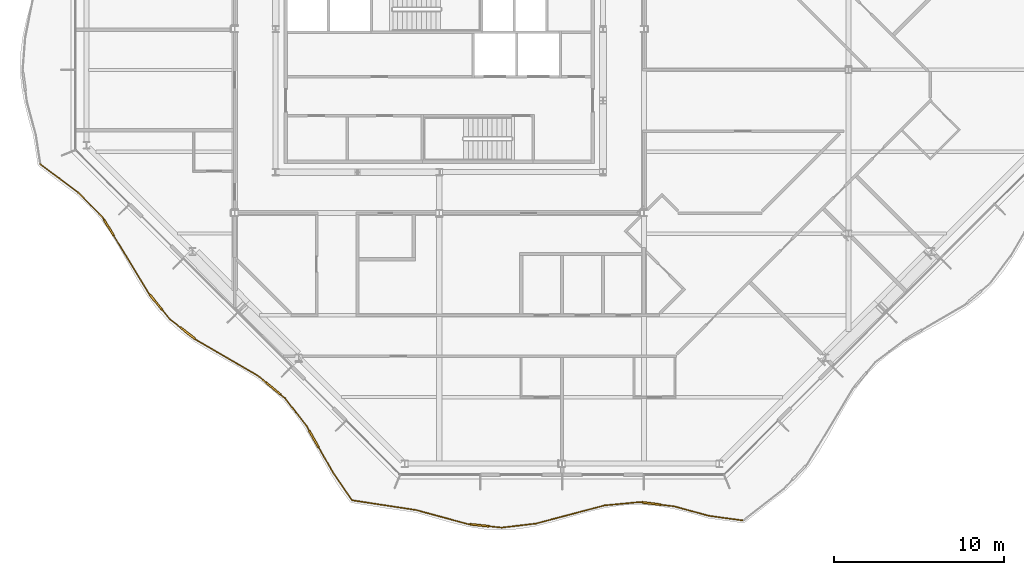
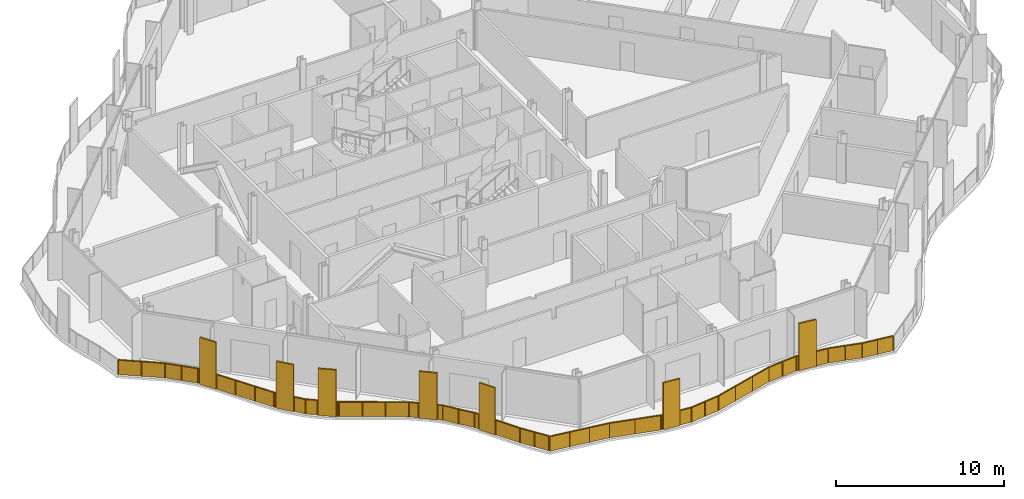
# One storey, part 13 of 17: 2 railings.
"""IFC4 building model written with IfcOpenShell, lengths in metres."""

from ifc_helpers import new_model, si_unit, direction, frame, origin, origin_2d, place, context, subcontext, project, spatial, polyline, rectangle, outline, extrude, material, type_object, element, save


model = new_model("IFC4")

# Units and contexts
model_context = context("Model", 3, precision=1e-05, world=origin(), true_north=direction((0.0, 1.0)))
body_context = subcontext(model_context, "Body", "Model", "MODEL_VIEW")
ifc_project = project(units=[si_unit("LENGTHUNIT", "METRE"), si_unit("AREAUNIT", "SQUARE_METRE"), si_unit("VOLUMEUNIT", "CUBIC_METRE"), si_unit("PLANEANGLEUNIT", "RADIAN"), si_unit("MASSUNIT", "GRAM", prefix="KILO")], contexts=[model_context])

# Site, building, storey
site_placement = place(None, origin())
site = spatial("IfcSite", under=ifc_project, at=site_placement, CompositionType="ELEMENT")
building_placement = place(site_placement, origin())
building = spatial("IfcBuilding", under=site, at=building_placement, Name="Cairn Pilgrim Tower", CompositionType="ELEMENT")
storey_placement = place(building_placement, frame((0.0, 0.0, 217.800048828125)))
storey = spatial("IfcBuildingStorey", under=building, at=storey_placement, Name="L55", CompositionType="ELEMENT", Elevation=217.800048828125)

# Railings
ifc_material = material(Name="Bronze anodised aluminium rail, posts and fin screens with laminated glass infill", Category="aluminium")
railing_type = type_object("IfcRailingType", Name="BALCONY GUARD WITH FIN SCREENS", PredefinedType="GUARDRAIL", material=ifc_material)
railing_1_placement = place(storey_placement, frame((2.080078125, -25.24609375, 0.0)))
element("IfcRailing", 1, at=railing_1_placement, inside=storey, type_object=railing_type, Name="Balcony guard BGF-1 with fin screens", PredefinedType="GUARDRAIL", context=body_context, shape_type="SweptSolid", body=[
    extrude(rectangle(XDim=0.050048828125, YDim=0.050048828125, at=origin_2d()), frame((0.0, 0.0, 1.0751953125), z_axis=(0.988604932965, -0.150533340218, 0.0), x_axis=(0.150533340218, 0.988604932965, 0.0)), (0.0, 0.0, 1.0), 3.804931640625),
    extrude(rectangle(XDim=0.050048828125, YDim=0.050048828125, at=origin_2d()), frame((3.761474609375, -0.57275390625, 1.0751953125), z_axis=(0.965052325493, -0.262057262941, 0.0), x_axis=(0.262057262941, 0.965052325493, 0.0)), (0.0, 0.0, 1.0), 3.1376953125),
    extrude(rectangle(XDim=1.10009765625, YDim=0.110107421875, at=origin_2d()), frame((7.48583984375, -1.467529296875, 0.0), z_axis=(0.0, 0.0, 1.0), x_axis=(0.994607152388, -0.103714089778, 0.0)), (0.0, 0.0, 1.0), 3.39990234375),
    extrude(rectangle(XDim=0.050048828125, YDim=0.050048828125, at=origin_2d()), frame((6.78955078125, -1.39501953125, 1.0751953125), z_axis=(0.994607152388, -0.103714089778, 0.0), x_axis=(0.103714089778, 0.994607152388, 0.0)), (0.0, 0.0, 1.0), 0.150146484375),
    extrude(rectangle(XDim=0.050048828125, YDim=0.050048828125, at=origin_2d()), frame((8.032958984375, -1.524658203125, 1.0751953125), z_axis=(0.994607152388, -0.103714089778, 0.0), x_axis=(0.103714089778, 0.994607152388, 0.0)), (0.0, 0.0, 1.0), 0.753173828125),
    extrude(rectangle(XDim=0.050048828125, YDim=0.050048828125, at=origin_2d()), frame((8.781982421875, -1.602783203125, 1.0751953125), z_axis=(0.99317796676, 0.1166084317, 0.0), x_axis=(-0.1166084317, 0.99317796676, 0.0)), (0.0, 0.0, 1.0), 2.0078125),
    extrude(rectangle(XDim=0.050048828125, YDim=0.050048828125, at=origin_2d()), frame((10.776123046875, -1.36865234375, 1.0751953125), z_axis=(0.966796474004, 0.255547603888, 0.0), x_axis=(-0.255547603888, 0.966796474004, 0.0)), (0.0, 0.0, 1.0), 4.1826171875),
    extrude(rectangle(XDim=0.050048828125, YDim=0.050048828125, at=origin_2d()), frame((14.81982421875, -0.2998046875, 1.0751953125), z_axis=(0.995480005826, 0.094971353581, 0.0), x_axis=(-0.094971353581, 0.995480005826, 0.0)), (0.0, 0.0, 1.0), 2.05908203125),
    extrude(rectangle(XDim=1.10009765625, YDim=0.110107421875, at=origin_2d()), frame((17.564208984375, -0.191650390625, 0.0), z_axis=(0.0, 0.0, 1.0), x_axis=(0.99215364122, -0.125024606434, 0.0)), (0.0, 0.0, 1.0), 3.39990234375),
    extrude(rectangle(XDim=0.050048828125, YDim=0.050048828125, at=origin_2d()), frame((16.86962890625, -0.104248046875, 1.0751953125), z_axis=(0.99215364122, -0.125024606434, 0.0), x_axis=(0.125024606434, 0.99215364122, 0.0)), (0.0, 0.0, 1.0), 0.14990234375),
    extrude(rectangle(XDim=0.050048828125, YDim=0.050048828125, at=origin_2d()), frame((18.10986328125, -0.260498046875, 1.0751953125), z_axis=(0.99215364122, -0.125024606434, 0.0), x_axis=(0.125024606434, 0.99215364122, 0.0)), (0.0, 0.0, 1.0), 0.81396484375),
    extrude(rectangle(XDim=0.050048828125, YDim=0.050048828125, at=origin_2d()), frame((18.91748046875, -0.3623046875, 1.0751953125), z_axis=(0.964933008441, -0.262496265156, 0.0), x_axis=(0.262496265156, 0.964933008441, 0.0)), (0.0, 0.0, 1.0), 2.095458984375),
    extrude(rectangle(XDim=0.050048828125, YDim=0.050048828125, at=origin_2d()), frame((20.939453125, -0.912353515625, 1.0751953125), z_axis=(0.990796192906, -0.135362122189, 0.0), x_axis=(0.135362122189, 0.990796192906, 0.0)), (0.0, 0.0, 1.0), 1.969482421875),
    extrude(rectangle(XDim=0.050048828125, YDim=0.050048828125, at=origin_2d()), origin(), (0.0, 0.0, 1.0), 1.050048828125),
    extrude(rectangle(XDim=0.050048828125, YDim=0.050048828125, at=origin_2d()), frame((1.25390625, -0.19091796875, 0.0)), (0.0, 0.0, 1.0), 1.050048828125),
    extrude(rectangle(XDim=0.050048828125, YDim=0.050048828125, at=origin_2d()), frame((2.507568359375, -0.3818359375, 0.0)), (0.0, 0.0, 1.0), 1.050048828125),
    extrude(rectangle(XDim=0.050048828125, YDim=0.050048828125, at=origin_2d()), frame((3.761474609375, -0.57275390625, 0.0)), (0.0, 0.0, 1.0), 1.050048828125),
    extrude(rectangle(XDim=0.050048828125, YDim=0.050048828125, at=origin_2d()), frame((5.275390625, -0.98388671875, 0.0)), (0.0, 0.0, 1.0), 1.050048828125),
    extrude(rectangle(XDim=0.050048828125, YDim=0.050048828125, at=origin_2d()), frame((6.78955078125, -1.39501953125, 0.0)), (0.0, 0.0, 1.0), 1.050048828125),
    extrude(rectangle(XDim=0.050048828125, YDim=0.050048828125, at=origin_2d()), frame((6.9140625, -1.407958984375, 0.0)), (0.0, 0.0, 1.0), 1.050048828125),
    extrude(rectangle(XDim=0.050048828125, YDim=0.050048828125, at=origin_2d()), frame((8.057861328125, -1.52734375, 0.0)), (0.0, 0.0, 1.0), 1.050048828125),
    extrude(rectangle(XDim=0.050048828125, YDim=0.050048828125, at=origin_2d()), frame((8.781982421875, -1.602783203125, 0.0)), (0.0, 0.0, 1.0), 1.050048828125),
    extrude(rectangle(XDim=0.050048828125, YDim=0.050048828125, at=origin_2d()), frame((9.779052734375, -1.48583984375, 0.0)), (0.0, 0.0, 1.0), 1.050048828125),
    extrude(rectangle(XDim=0.050048828125, YDim=0.050048828125, at=origin_2d()), frame((10.776123046875, -1.36865234375, 0.0)), (0.0, 0.0, 1.0), 1.050048828125),
    extrude(rectangle(XDim=0.050048828125, YDim=0.050048828125, at=origin_2d()), frame((12.1240234375, -1.012451171875, 0.0)), (0.0, 0.0, 1.0), 1.050048828125),
    extrude(rectangle(XDim=0.050048828125, YDim=0.050048828125, at=origin_2d()), frame((13.471923828125, -0.656005859375, 0.0)), (0.0, 0.0, 1.0), 1.050048828125),
    extrude(rectangle(XDim=0.050048828125, YDim=0.050048828125, at=origin_2d()), frame((14.81982421875, -0.2998046875, 0.0)), (0.0, 0.0, 1.0), 1.050048828125),
    extrude(rectangle(XDim=0.050048828125, YDim=0.050048828125, at=origin_2d()), frame((15.8447265625, -0.2021484375, 0.0)), (0.0, 0.0, 1.0), 1.050048828125),
    extrude(rectangle(XDim=0.050048828125, YDim=0.050048828125, at=origin_2d()), frame((16.86962890625, -0.104248046875, 0.0)), (0.0, 0.0, 1.0), 1.050048828125),
    extrude(rectangle(XDim=0.050048828125, YDim=0.050048828125, at=origin_2d()), frame((16.99365234375, -0.119873046875, 0.0)), (0.0, 0.0, 1.0), 1.050048828125),
    extrude(rectangle(XDim=0.050048828125, YDim=0.050048828125, at=origin_2d()), frame((18.134521484375, -0.263671875, 0.0)), (0.0, 0.0, 1.0), 1.050048828125),
    extrude(rectangle(XDim=0.050048828125, YDim=0.050048828125, at=origin_2d()), frame((18.91748046875, -0.3623046875, 0.0)), (0.0, 0.0, 1.0), 1.050048828125),
    extrude(rectangle(XDim=0.050048828125, YDim=0.050048828125, at=origin_2d()), frame((19.928466796875, -0.63720703125, 0.0)), (0.0, 0.0, 1.0), 1.050048828125),
    extrude(rectangle(XDim=0.050048828125, YDim=0.050048828125, at=origin_2d()), frame((20.939453125, -0.912353515625, 0.0)), (0.0, 0.0, 1.0), 1.050048828125),
    extrude(rectangle(XDim=0.050048828125, YDim=0.050048828125, at=origin_2d()), frame((21.9150390625, -1.045654296875, 0.0)), (0.0, 0.0, 1.0), 1.050048828125),
    extrude(rectangle(XDim=0.050048828125, YDim=0.050048828125, at=origin_2d()), frame((22.890869140625, -1.178955078125, 0.0)), (0.0, 0.0, 1.0), 1.050048828125),
    extrude(outline(polyline([(0.02490234375, 0.0), (1.2431640625, 0.0), (1.2431640625, 1.050048828125), (0.02490234375, 1.050048828125), (0.02490234375, 0.0)])), frame((0.0009765625, 0.005859375, 0.0), z_axis=(-0.150533340218, -0.988604932965, 0.0), x_axis=(0.988604932965, -0.150533340218, 0.0)), (0.0, 0.0, 1.0), 0.011962890625),
    extrude(outline(polyline([(0.02490234375, 0.0), (1.2431640625, 0.0), (1.2431640625, 1.050048828125), (0.02490234375, 1.050048828125), (0.02490234375, 0.0)])), frame((1.254638671875, -0.18505859375, 0.0), z_axis=(-0.150533340218, -0.988604932965, 0.0), x_axis=(0.988604932965, -0.150533340218, 0.0)), (0.0, 0.0, 1.0), 0.011962890625),
    extrude(outline(polyline([(0.02490234375, 0.0), (1.2431640625, 0.0), (1.2431640625, 1.050048828125), (0.02490234375, 1.050048828125), (0.02490234375, 0.0)])), frame((2.508544921875, -0.3759765625, 0.0), z_axis=(-0.150533340218, -0.988604932965, 0.0), x_axis=(0.988604932965, -0.150533340218, 0.0)), (0.0, 0.0, 1.0), 0.011962890625),
    extrude(outline(polyline([(0.02490234375, 0.0), (1.5439453125, 0.0), (1.5439453125, 1.050048828125), (0.02490234375, 1.050048828125), (0.02490234375, 0.0)])), frame((3.762939453125, -0.56689453125, 0.0), z_axis=(-0.262057262941, -0.965052325493, 0.0), x_axis=(0.965052325493, -0.262057262941, 0.0)), (0.0, 0.0, 1.0), 0.011962890625),
    extrude(outline(polyline([(0.02490234375, 0.0), (1.5439453125, 0.0), (1.5439453125, 1.050048828125), (0.02490234375, 1.050048828125), (0.02490234375, 0.0)])), frame((5.277099609375, -0.97802734375, 0.0), z_axis=(-0.262057262941, -0.965052325493, 0.0), x_axis=(0.965052325493, -0.262057262941, 0.0)), (0.0, 0.0, 1.0), 0.011962890625),
    extrude(outline(polyline([(0.02490234375, 0.0), (0.10009765625, 0.0), (0.10009765625, 1.050048828125), (0.02490234375, 1.050048828125), (0.02490234375, 0.0)])), frame((6.790283203125, -1.38916015625, 0.0), z_axis=(-0.103714089778, -0.994607152388, 0.0), x_axis=(0.994607152388, -0.103714089778, 0.0)), (0.0, 0.0, 1.0), 0.011962890625),
    extrude(outline(polyline([(0.02490234375, 0.0), (0.703125, 0.0), (0.703125, 1.050048828125), (0.02490234375, 1.050048828125), (0.02490234375, 0.0)])), frame((8.058349609375, -1.521240234375, 0.0), z_axis=(-0.103714089778, -0.994607152388, 0.0), x_axis=(0.994607152388, -0.103714089778, 0.0)), (0.0, 0.0, 1.0), 0.011962890625),
    extrude(outline(polyline([(0.02490234375, 0.0), (0.97900390625, 0.0), (0.97900390625, 1.050048828125), (0.02490234375, 1.050048828125), (0.02490234375, 0.0)])), frame((8.78125, -1.596923828125, 0.0), z_axis=(0.1166084317, -0.99317796676, 0.0), x_axis=(0.99317796676, 0.1166084317, 0.0)), (0.0, 0.0, 1.0), 0.011962890625),
    extrude(outline(polyline([(0.02490234375, 0.0), (0.97900390625, 0.0), (0.97900390625, 1.050048828125), (0.02490234375, 1.050048828125), (0.02490234375, 0.0)])), frame((9.7783203125, -1.479736328125, 0.0), z_axis=(0.1166084317, -0.99317796676, 0.0), x_axis=(0.99317796676, 0.1166084317, 0.0)), (0.0, 0.0, 1.0), 0.011962890625),
    extrude(outline(polyline([(0.02490234375, 0.0), (1.369140625, 0.0), (1.369140625, 1.050048828125), (0.02490234375, 1.050048828125), (0.02490234375, 0.0)])), frame((10.774658203125, -1.36279296875, 0.0), z_axis=(0.255547603888, -0.966796474004, 0.0), x_axis=(0.966796474004, 0.255547603888, 0.0)), (0.0, 0.0, 1.0), 0.011962890625),
    extrude(outline(polyline([(0.02490234375, 0.0), (1.369140625, 0.0), (1.369140625, 1.050048828125), (0.02490234375, 1.050048828125), (0.02490234375, 0.0)])), frame((12.12255859375, -1.006591796875, 0.0), z_axis=(0.255547603888, -0.966796474004, 0.0), x_axis=(0.966796474004, 0.255547603888, 0.0)), (0.0, 0.0, 1.0), 0.011962890625),
    extrude(outline(polyline([(0.02490234375, 0.0), (1.369140625, 0.0), (1.369140625, 1.050048828125), (0.02490234375, 1.050048828125), (0.02490234375, 0.0)])), frame((13.470458984375, -0.650390625, 0.0), z_axis=(0.255547603888, -0.966796474004, 0.0), x_axis=(0.966796474004, 0.255547603888, 0.0)), (0.0, 0.0, 1.0), 0.011962890625),
    extrude(outline(polyline([(0.02490234375, 0.0), (1.004638671875, 0.0), (1.004638671875, 1.050048828125), (0.02490234375, 1.050048828125), (0.02490234375, 0.0)])), frame((14.8193359375, -0.2939453125, 0.0), z_axis=(0.094971353581, -0.995480005826, 0.0), x_axis=(0.995480005826, 0.094971353581, 0.0)), (0.0, 0.0, 1.0), 0.011962890625),
    extrude(outline(polyline([(0.02490234375, 0.0), (1.004638671875, 0.0), (1.004638671875, 1.050048828125), (0.02490234375, 1.050048828125), (0.02490234375, 0.0)])), frame((15.84423828125, -0.196044921875, 0.0), z_axis=(0.094971353581, -0.995480005826, 0.0), x_axis=(0.995480005826, 0.094971353581, 0.0)), (0.0, 0.0, 1.0), 0.011962890625),
    extrude(outline(polyline([(0.02490234375, 0.0), (0.099853515625, 0.0), (0.099853515625, 1.050048828125), (0.02490234375, 1.050048828125), (0.02490234375, 0.0)])), frame((16.870361328125, -0.098388671875, 0.0), z_axis=(-0.125024606434, -0.99215364122, 0.0), x_axis=(0.99215364122, -0.125024606434, 0.0)), (0.0, 0.0, 1.0), 0.011962890625),
    extrude(outline(polyline([(0.02490234375, 0.0), (0.763916015625, 0.0), (0.763916015625, 1.050048828125), (0.02490234375, 1.050048828125), (0.02490234375, 0.0)])), frame((18.13525390625, -0.2578125, 0.0), z_axis=(-0.125024606434, -0.99215364122, 0.0), x_axis=(0.99215364122, -0.125024606434, 0.0)), (0.0, 0.0, 1.0), 0.011962890625),
    extrude(outline(polyline([(0.02490234375, 0.0), (1.022705078125, 0.0), (1.022705078125, 1.050048828125), (0.02490234375, 1.050048828125), (0.02490234375, 0.0)])), frame((18.9189453125, -0.3564453125, 0.0), z_axis=(-0.262496265156, -0.964933008441, 0.0), x_axis=(0.964933008441, -0.262496265156, 0.0)), (0.0, 0.0, 1.0), 0.011962890625),
    extrude(outline(polyline([(0.02490234375, 0.0), (1.022705078125, 0.0), (1.022705078125, 1.050048828125), (0.02490234375, 1.050048828125), (0.02490234375, 0.0)])), frame((19.929931640625, -0.631591796875, 0.0), z_axis=(-0.262496265156, -0.964933008441, 0.0), x_axis=(0.964933008441, -0.262496265156, 0.0)), (0.0, 0.0, 1.0), 0.011962890625),
    extrude(outline(polyline([(0.02490234375, 0.0), (0.959716796875, 0.0), (0.959716796875, 1.050048828125), (0.02490234375, 1.050048828125), (0.02490234375, 0.0)])), frame((20.940185546875, -0.906494140625, 0.0), z_axis=(-0.135362122189, -0.990796192906, 0.0), x_axis=(0.990796192906, -0.135362122189, 0.0)), (0.0, 0.0, 1.0), 0.011962890625),
    extrude(outline(polyline([(0.02490234375, 0.0), (0.959716796875, 0.0), (0.959716796875, 1.050048828125), (0.02490234375, 1.050048828125), (0.02490234375, 0.0)])), frame((21.916015625, -1.039794921875, 0.0), z_axis=(-0.135362122189, -0.990796192906, 0.0), x_axis=(0.990796192906, -0.135362122189, 0.0)), (0.0, 0.0, 1.0), 0.011962890625),
])
railing_2_placement = place(storey_placement, frame((-16.208251953125, -5.523193359375, 0.0)))
element("IfcRailing", 2, at=railing_2_placement, inside=storey, type_object=railing_type, Name="Balcony guard BGF-8 with fin screens", PredefinedType="GUARDRAIL", context=body_context, shape_type="SweptSolid", body=[
    extrude(rectangle(XDim=0.050048828125, YDim=0.050048828125, at=origin_2d()), frame((0.0, 0.0, 1.0751953125), z_axis=(0.798929998312, -0.601424024959, 0.0), x_axis=(0.601424024959, 0.798929998312, 0.0)), (0.0, 0.0, 1.0), 2.796142578125),
    extrude(rectangle(XDim=0.050048828125, YDim=0.050048828125, at=origin_2d()), frame((2.23388671875, -1.681640625, 1.0751953125), z_axis=(0.701097357888, -0.713065561335, 0.0), x_axis=(0.713065561335, 0.701097357888, 0.0)), (0.0, 0.0, 1.0), 2.039794921875),
    extrude(rectangle(XDim=1.10009765625, YDim=0.110107421875, at=origin_2d()), frame((4.026611328125, -3.735107421875, 0.0), z_axis=(0.0, 0.0, 1.0), x_axis=(0.517857091522, -0.855467143005, 0.0)), (0.0, 0.0, 1.0), 3.39990234375),
    extrude(rectangle(XDim=0.050048828125, YDim=0.050048828125, at=origin_2d()), frame((3.6640625, -3.13623046875, 1.0751953125), z_axis=(0.517857091522, -0.855467143005, 0.0), x_axis=(0.855467143005, 0.517857091522, 0.0)), (0.0, 0.0, 1.0), 0.150146484375),
    extrude(rectangle(XDim=0.050048828125, YDim=0.050048828125, at=origin_2d()), frame((4.3115234375, -4.20556640625, 1.0751953125), z_axis=(0.517857091522, -0.855467143005, 0.0), x_axis=(0.855467143005, 0.517857091522, 0.0)), (0.0, 0.0, 1.0), 3.934814453125),
    extrude(rectangle(XDim=1.10009765625, YDim=0.110107421875, at=origin_2d()), frame((6.79345703125, -8.1123046875, 0.0), z_axis=(0.0, 0.0, 1.0), x_axis=(0.635063184455, -0.772460194282, 0.0)), (0.0, 0.0, 1.0), 3.39990234375),
    extrude(rectangle(XDim=0.050048828125, YDim=0.050048828125, at=origin_2d()), frame((6.34912109375, -7.57177734375, 1.0751953125), z_axis=(0.635063184455, -0.772460194282, 0.0), x_axis=(0.772460194282, 0.635063184455, 0.0)), (0.0, 0.0, 1.0), 0.14990234375),
    extrude(rectangle(XDim=0.050048828125, YDim=0.050048828125, at=origin_2d()), frame((7.142822265625, -8.537353515625, 1.0751953125), z_axis=(0.635063184455, -0.772460194282, 0.0), x_axis=(0.772460194282, 0.635063184455, 0.0)), (0.0, 0.0, 1.0), 0.743896484375),
    extrude(rectangle(XDim=1.10009765625, YDim=0.110107421875, at=origin_2d()), frame((8.63916015625, -9.911865234375, 0.0), z_axis=(0.0, 0.0, 1.0), x_axis=(0.788035480357, -0.615629825218, 0.0)), (0.0, 0.0, 1.0), 3.39990234375),
    extrude(rectangle(XDim=0.050048828125, YDim=0.050048828125, at=origin_2d()), frame((7.615234375, -9.11181640625, 1.0751953125), z_axis=(0.788035480357, -0.615629825218, 0.0), x_axis=(0.615629825218, 0.788035480357, 0.0)), (0.0, 0.0, 1.0), 0.74951171875),
    extrude(rectangle(XDim=0.050048828125, YDim=0.050048828125, at=origin_2d()), frame((9.07275390625, -10.25048828125, 1.0751953125), z_axis=(0.788035480357, -0.615629825218, 0.0), x_axis=(0.615629825218, 0.788035480357, 0.0)), (0.0, 0.0, 1.0), 0.150146484375),
    extrude(rectangle(XDim=0.050048828125, YDim=0.050048828125, at=origin_2d()), frame((9.19091796875, -10.3427734375, 1.0751953125), z_axis=(0.864373826551, -0.502849766803, 0.0), x_axis=(0.502849766803, 0.864373826551, 0.0)), (0.0, 0.0, 1.0), 4.163330078125),
    extrude(rectangle(XDim=1.10009765625, YDim=0.110107421875, at=origin_2d()), frame((13.680908203125, -13.17626953125, 0.0), z_axis=(0.0, 0.0, 1.0), x_axis=(0.769440823309, -0.638718106386, 0.0)), (0.0, 0.0, 1.0), 3.39990234375),
    extrude(rectangle(XDim=0.050048828125, YDim=0.050048828125, at=origin_2d()), frame((12.78955078125, -12.436279296875, 1.0751953125), z_axis=(0.769440823309, -0.638718106386, 0.0), x_axis=(0.638718106386, 0.769440823309, 0.0)), (0.0, 0.0, 1.0), 0.6083984375),
    extrude(rectangle(XDim=0.050048828125, YDim=0.050048828125, at=origin_2d()), frame((14.10400390625, -13.527587890625, 1.0751953125), z_axis=(0.769440823309, -0.638718106386, 0.0), x_axis=(0.638718106386, 0.769440823309, 0.0)), (0.0, 0.0, 1.0), 0.34033203125),
    extrude(rectangle(XDim=0.050048828125, YDim=0.050048828125, at=origin_2d()), frame((14.365966796875, -13.744873046875, 1.0751953125), z_axis=(0.612096510157, -0.790783069023, 0.0), x_axis=(0.790783069023, 0.612096510157, 0.0)), (0.0, 0.0, 1.0), 2.054931640625),
    extrude(rectangle(XDim=1.10009765625, YDim=0.110107421875, at=origin_2d()), frame((16.051025390625, -16.1220703125, 0.0), z_axis=(0.0, 0.0, 1.0), x_axis=(0.493863500492, -0.869539442971, 0.0)), (0.0, 0.0, 1.0), 3.39990234375),
    extrude(rectangle(XDim=0.050048828125, YDim=0.050048828125, at=origin_2d()), frame((15.623779296875, -15.369873046875, 1.0751953125), z_axis=(0.493863500492, -0.869539442971, 0.0), x_axis=(0.869539442971, 0.493863500492, 0.0)), (0.0, 0.0, 1.0), 0.31494140625),
    extrude(rectangle(XDim=0.050048828125, YDim=0.050048828125, at=origin_2d()), frame((16.322509765625, -16.600341796875, 1.0751953125), z_axis=(0.493863500492, -0.869539442971, 0.0), x_axis=(0.869539442971, 0.493863500492, 0.0)), (0.0, 0.0, 1.0), 1.71875),
    extrude(rectangle(XDim=0.050048828125, YDim=0.050048828125, at=origin_2d()), frame((17.17138671875, -18.0947265625, 1.0751953125), z_axis=(0.565657209045, -0.824640480364, 0.0), x_axis=(0.824640480364, 0.565657209045, 0.0)), (0.0, 0.0, 1.0), 1.91455078125),
    extrude(rectangle(XDim=0.050048828125, YDim=0.050048828125, at=origin_2d()), origin(), (0.0, 0.0, 1.0), 1.050048828125),
    extrude(rectangle(XDim=0.050048828125, YDim=0.050048828125, at=origin_2d()), frame((1.116943359375, -0.8408203125, 0.0)), (0.0, 0.0, 1.0), 1.050048828125),
    extrude(rectangle(XDim=0.050048828125, YDim=0.050048828125, at=origin_2d()), frame((2.23388671875, -1.681640625, 0.0)), (0.0, 0.0, 1.0), 1.050048828125),
    extrude(rectangle(XDim=0.050048828125, YDim=0.050048828125, at=origin_2d()), frame((2.948974609375, -2.408935546875, 0.0)), (0.0, 0.0, 1.0), 1.050048828125),
    extrude(rectangle(XDim=0.050048828125, YDim=0.050048828125, at=origin_2d()), frame((3.6640625, -3.13623046875, 0.0)), (0.0, 0.0, 1.0), 1.050048828125),
    extrude(rectangle(XDim=0.050048828125, YDim=0.050048828125, at=origin_2d()), frame((3.728759765625, -3.2431640625, 0.0)), (0.0, 0.0, 1.0), 1.050048828125),
    extrude(rectangle(XDim=0.050048828125, YDim=0.050048828125, at=origin_2d()), frame((4.324462890625, -4.22705078125, 0.0)), (0.0, 0.0, 1.0), 1.050048828125),
    extrude(rectangle(XDim=0.050048828125, YDim=0.050048828125, at=origin_2d()), frame((4.999267578125, -5.342041015625, 0.0)), (0.0, 0.0, 1.0), 1.050048828125),
    extrude(rectangle(XDim=0.050048828125, YDim=0.050048828125, at=origin_2d()), frame((5.67431640625, -6.456787109375, 0.0)), (0.0, 0.0, 1.0), 1.050048828125),
    extrude(rectangle(XDim=0.050048828125, YDim=0.050048828125, at=origin_2d()), frame((6.34912109375, -7.57177734375, 0.0)), (0.0, 0.0, 1.0), 1.050048828125),
    extrude(rectangle(XDim=0.050048828125, YDim=0.050048828125, at=origin_2d()), frame((6.428466796875, -7.668212890625, 0.0)), (0.0, 0.0, 1.0), 1.050048828125),
    extrude(rectangle(XDim=0.050048828125, YDim=0.050048828125, at=origin_2d()), frame((7.15869140625, -8.556640625, 0.0)), (0.0, 0.0, 1.0), 1.050048828125),
    extrude(rectangle(XDim=0.050048828125, YDim=0.050048828125, at=origin_2d()), frame((7.615234375, -9.11181640625, 0.0)), (0.0, 0.0, 1.0), 1.050048828125),
    extrude(rectangle(XDim=0.050048828125, YDim=0.050048828125, at=origin_2d()), frame((8.18603515625, -9.557861328125, 0.0)), (0.0, 0.0, 1.0), 1.050048828125),
    extrude(rectangle(XDim=0.050048828125, YDim=0.050048828125, at=origin_2d()), frame((9.09228515625, -10.265869140625, 0.0)), (0.0, 0.0, 1.0), 1.050048828125),
    extrude(rectangle(XDim=0.050048828125, YDim=0.050048828125, at=origin_2d()), frame((9.19091796875, -10.3427734375, 0.0)), (0.0, 0.0, 1.0), 1.050048828125),
    extrude(rectangle(XDim=0.050048828125, YDim=0.050048828125, at=origin_2d()), frame((10.390380859375, -11.04052734375, 0.0)), (0.0, 0.0, 1.0), 1.050048828125),
    extrude(rectangle(XDim=0.050048828125, YDim=0.050048828125, at=origin_2d()), frame((11.590087890625, -11.738525390625, 0.0)), (0.0, 0.0, 1.0), 1.050048828125),
    extrude(rectangle(XDim=0.050048828125, YDim=0.050048828125, at=origin_2d()), frame((12.78955078125, -12.436279296875, 0.0)), (0.0, 0.0, 1.0), 1.050048828125),
    extrude(rectangle(XDim=0.050048828125, YDim=0.050048828125, at=origin_2d()), frame((13.238525390625, -12.808837890625, 0.0)), (0.0, 0.0, 1.0), 1.050048828125),
    extrude(rectangle(XDim=0.050048828125, YDim=0.050048828125, at=origin_2d()), frame((14.123291015625, -13.54345703125, 0.0)), (0.0, 0.0, 1.0), 1.050048828125),
    extrude(rectangle(XDim=0.050048828125, YDim=0.050048828125, at=origin_2d()), frame((14.365966796875, -13.744873046875, 0.0)), (0.0, 0.0, 1.0), 1.050048828125),
    extrude(rectangle(XDim=0.050048828125, YDim=0.050048828125, at=origin_2d()), frame((14.994873046875, -14.557373046875, 0.0)), (0.0, 0.0, 1.0), 1.050048828125),
    extrude(rectangle(XDim=0.050048828125, YDim=0.050048828125, at=origin_2d()), frame((15.623779296875, -15.369873046875, 0.0)), (0.0, 0.0, 1.0), 1.050048828125),
    extrude(rectangle(XDim=0.050048828125, YDim=0.050048828125, at=origin_2d()), frame((15.76708984375, -15.6220703125, 0.0)), (0.0, 0.0, 1.0), 1.050048828125),
    extrude(rectangle(XDim=0.050048828125, YDim=0.050048828125, at=origin_2d()), frame((16.3349609375, -16.6220703125, 0.0)), (0.0, 0.0, 1.0), 1.050048828125),
    extrude(rectangle(XDim=0.050048828125, YDim=0.050048828125, at=origin_2d()), frame((17.17138671875, -18.0947265625, 0.0)), (0.0, 0.0, 1.0), 1.050048828125),
    extrude(rectangle(XDim=0.050048828125, YDim=0.050048828125, at=origin_2d()), frame((17.712890625, -18.88427734375, 0.0)), (0.0, 0.0, 1.0), 1.050048828125),
    extrude(rectangle(XDim=0.050048828125, YDim=0.050048828125, at=origin_2d()), frame((18.25439453125, -19.673583984375, 0.0)), (0.0, 0.0, 1.0), 1.050048828125),
    extrude(outline(polyline([(0.02490234375, 0.0), (1.373046875, 0.0), (1.373046875, 1.050048828125), (0.02490234375, 1.050048828125), (0.02490234375, 0.0)])), frame((0.003662109375, 0.0048828125, 0.0), z_axis=(-0.601424024959, -0.798929998312, 0.0), x_axis=(0.798929998312, -0.601424024959, 0.0)), (0.0, 0.0, 1.0), 0.011962890625),
    extrude(outline(polyline([(0.02490234375, 0.0), (1.373046875, 0.0), (1.373046875, 1.050048828125), (0.02490234375, 1.050048828125), (0.02490234375, 0.0)])), frame((1.12060546875, -0.8359375, 0.0), z_axis=(-0.601424024959, -0.798929998312, 0.0), x_axis=(0.798929998312, -0.601424024959, 0.0)), (0.0, 0.0, 1.0), 0.011962890625),
    extrude(outline(polyline([(0.02490234375, 0.0), (0.994873046875, 0.0), (0.994873046875, 1.050048828125), (0.02490234375, 1.050048828125), (0.02490234375, 0.0)])), frame((2.238037109375, -1.677490234375, 0.0), z_axis=(-0.713065561335, -0.701097357888, 0.0), x_axis=(0.701097357888, -0.713065561335, 0.0)), (0.0, 0.0, 1.0), 0.011962890625),
    extrude(outline(polyline([(0.02490234375, 0.0), (0.994873046875, 0.0), (0.994873046875, 1.050048828125), (0.02490234375, 1.050048828125), (0.02490234375, 0.0)])), frame((2.953125, -2.40478515625, 0.0), z_axis=(-0.713065561335, -0.701097357888, 0.0), x_axis=(0.701097357888, -0.713065561335, 0.0)), (0.0, 0.0, 1.0), 0.011962890625),
    extrude(outline(polyline([(0.02490234375, 0.0), (0.10009765625, 0.0), (0.10009765625, 1.050048828125), (0.02490234375, 1.050048828125), (0.02490234375, 0.0)])), frame((3.669189453125, -3.133056640625, 0.0), z_axis=(-0.855467143005, -0.517857091522, 0.0), x_axis=(0.517857091522, -0.855467143005, 0.0)), (0.0, 0.0, 1.0), 0.011962890625),
    extrude(outline(polyline([(0.02490234375, 0.0), (1.2783203125, 0.0), (1.2783203125, 1.050048828125), (0.02490234375, 1.050048828125), (0.02490234375, 0.0)])), frame((4.32958984375, -4.223876953125, 0.0), z_axis=(-0.855467143005, -0.517857091522, 0.0), x_axis=(0.517857091522, -0.855467143005, 0.0)), (0.0, 0.0, 1.0), 0.011962890625),
    extrude(outline(polyline([(0.02490234375, 0.0), (1.2783203125, 0.0), (1.2783203125, 1.050048828125), (0.02490234375, 1.050048828125), (0.02490234375, 0.0)])), frame((5.00439453125, -5.3388671875, 0.0), z_axis=(-0.855467143005, -0.517857091522, 0.0), x_axis=(0.517857091522, -0.855467143005, 0.0)), (0.0, 0.0, 1.0), 0.011962890625),
    extrude(outline(polyline([(0.02490234375, 0.0), (1.2783203125, 0.0), (1.2783203125, 1.050048828125), (0.02490234375, 1.050048828125), (0.02490234375, 0.0)])), frame((5.679443359375, -6.453857421875, 0.0), z_axis=(-0.855467143005, -0.517857091522, 0.0), x_axis=(0.517857091522, -0.855467143005, 0.0)), (0.0, 0.0, 1.0), 0.011962890625),
    extrude(outline(polyline([(0.02490234375, 0.0), (0.099853515625, 0.0), (0.099853515625, 1.050048828125), (0.02490234375, 1.050048828125), (0.02490234375, 0.0)])), frame((6.353759765625, -7.56787109375, 0.0), z_axis=(-0.772460194282, -0.635063184455, 0.0), x_axis=(0.635063184455, -0.772460194282, 0.0)), (0.0, 0.0, 1.0), 0.011962890625),
    extrude(outline(polyline([(0.02490234375, 0.0), (0.69384765625, 0.0), (0.69384765625, 1.050048828125), (0.02490234375, 1.050048828125), (0.02490234375, 0.0)])), frame((7.163330078125, -8.552734375, 0.0), z_axis=(-0.772460194282, -0.635063184455, 0.0), x_axis=(0.635063184455, -0.772460194282, 0.0)), (0.0, 0.0, 1.0), 0.011962890625),
    extrude(outline(polyline([(0.02490234375, 0.0), (0.699462890625, 0.0), (0.699462890625, 1.050048828125), (0.02490234375, 1.050048828125), (0.02490234375, 0.0)])), frame((7.618896484375, -9.107177734375, 0.0), z_axis=(-0.615629825218, -0.788035480357, 0.0), x_axis=(0.788035480357, -0.615629825218, 0.0)), (0.0, 0.0, 1.0), 0.011962890625),
    extrude(outline(polyline([(0.02490234375, 0.0), (0.10009765625, 0.0), (0.10009765625, 1.050048828125), (0.02490234375, 1.050048828125), (0.02490234375, 0.0)])), frame((9.09619140625, -10.260986328125, 0.0), z_axis=(-0.615629825218, -0.788035480357, 0.0), x_axis=(0.788035480357, -0.615629825218, 0.0)), (0.0, 0.0, 1.0), 0.011962890625),
    extrude(outline(polyline([(0.02490234375, 0.0), (1.36279296875, 0.0), (1.36279296875, 1.050048828125), (0.02490234375, 1.050048828125), (0.02490234375, 0.0)])), frame((9.19384765625, -10.337646484375, 0.0), z_axis=(-0.502849766803, -0.864373826551, 0.0), x_axis=(0.864373826551, -0.502849766803, 0.0)), (0.0, 0.0, 1.0), 0.011962890625),
    extrude(outline(polyline([(0.02490234375, 0.0), (1.36279296875, 0.0), (1.36279296875, 1.050048828125), (0.02490234375, 1.050048828125), (0.02490234375, 0.0)])), frame((10.3935546875, -11.035400390625, 0.0), z_axis=(-0.502849766803, -0.864373826551, 0.0), x_axis=(0.864373826551, -0.502849766803, 0.0)), (0.0, 0.0, 1.0), 0.011962890625),
    extrude(outline(polyline([(0.02490234375, 0.0), (1.36279296875, 0.0), (1.36279296875, 1.050048828125), (0.02490234375, 1.050048828125), (0.02490234375, 0.0)])), frame((11.593017578125, -11.733154296875, 0.0), z_axis=(-0.502849766803, -0.864373826551, 0.0), x_axis=(0.864373826551, -0.502849766803, 0.0)), (0.0, 0.0, 1.0), 0.011962890625),
    extrude(outline(polyline([(0.02490234375, 0.0), (0.558349609375, 0.0), (0.558349609375, 1.050048828125), (0.02490234375, 1.050048828125), (0.02490234375, 0.0)])), frame((12.79345703125, -12.431640625, 0.0), z_axis=(-0.638718106386, -0.769440823309, 0.0), x_axis=(0.769440823309, -0.638718106386, 0.0)), (0.0, 0.0, 1.0), 0.011962890625),
    extrude(outline(polyline([(0.02490234375, 0.0), (0.290283203125, 0.0), (0.290283203125, 1.050048828125), (0.02490234375, 1.050048828125), (0.02490234375, 0.0)])), frame((14.127197265625, -13.538818359375, 0.0), z_axis=(-0.638718106386, -0.769440823309, 0.0), x_axis=(0.769440823309, -0.638718106386, 0.0)), (0.0, 0.0, 1.0), 0.011962890625),
    extrude(outline(polyline([(0.02490234375, 0.0), (1.00244140625, 0.0), (1.00244140625, 1.050048828125), (0.02490234375, 1.050048828125), (0.02490234375, 0.0)])), frame((14.37060546875, -13.7412109375, 0.0), z_axis=(-0.790783069023, -0.612096510157, 0.0), x_axis=(0.612096510157, -0.790783069023, 0.0)), (0.0, 0.0, 1.0), 0.011962890625),
    extrude(outline(polyline([(0.02490234375, 0.0), (1.00244140625, 0.0), (1.00244140625, 1.050048828125), (0.02490234375, 1.050048828125), (0.02490234375, 0.0)])), frame((14.99951171875, -14.5537109375, 0.0), z_axis=(-0.790783069023, -0.612096510157, 0.0), x_axis=(0.612096510157, -0.790783069023, 0.0)), (0.0, 0.0, 1.0), 0.011962890625),
    extrude(outline(polyline([(0.02490234375, 0.0), (0.264892578125, 0.0), (0.264892578125, 1.050048828125), (0.02490234375, 1.050048828125), (0.02490234375, 0.0)])), frame((15.62890625, -15.366943359375, 0.0), z_axis=(-0.869539442971, -0.493863500492, 0.0), x_axis=(0.493863500492, -0.869539442971, 0.0)), (0.0, 0.0, 1.0), 0.011962890625),
    extrude(outline(polyline([(0.02490234375, 0.0), (1.668701171875, 0.0), (1.668701171875, 1.050048828125), (0.02490234375, 1.050048828125), (0.02490234375, 0.0)])), frame((16.340087890625, -16.619140625, 0.0), z_axis=(-0.869539442971, -0.493863500492, 0.0), x_axis=(0.493863500492, -0.869539442971, 0.0)), (0.0, 0.0, 1.0), 0.011962890625),
    extrude(outline(polyline([(0.02490234375, 0.0), (0.932373046875, 0.0), (0.932373046875, 1.050048828125), (0.02490234375, 1.050048828125), (0.02490234375, 0.0)])), frame((17.17626953125, -18.09130859375, 0.0), z_axis=(-0.824640480364, -0.565657209045, 0.0), x_axis=(0.565657209045, -0.824640480364, 0.0)), (0.0, 0.0, 1.0), 0.011962890625),
    extrude(outline(polyline([(0.02490234375, 0.0), (0.932373046875, 0.0), (0.932373046875, 1.050048828125), (0.02490234375, 1.050048828125), (0.02490234375, 0.0)])), frame((17.7177734375, -18.880859375, 0.0), z_axis=(-0.824640480364, -0.565657209045, 0.0), x_axis=(0.565657209045, -0.824640480364, 0.0)), (0.0, 0.0, 1.0), 0.011962890625),
])

save(model, "model.ifc")
